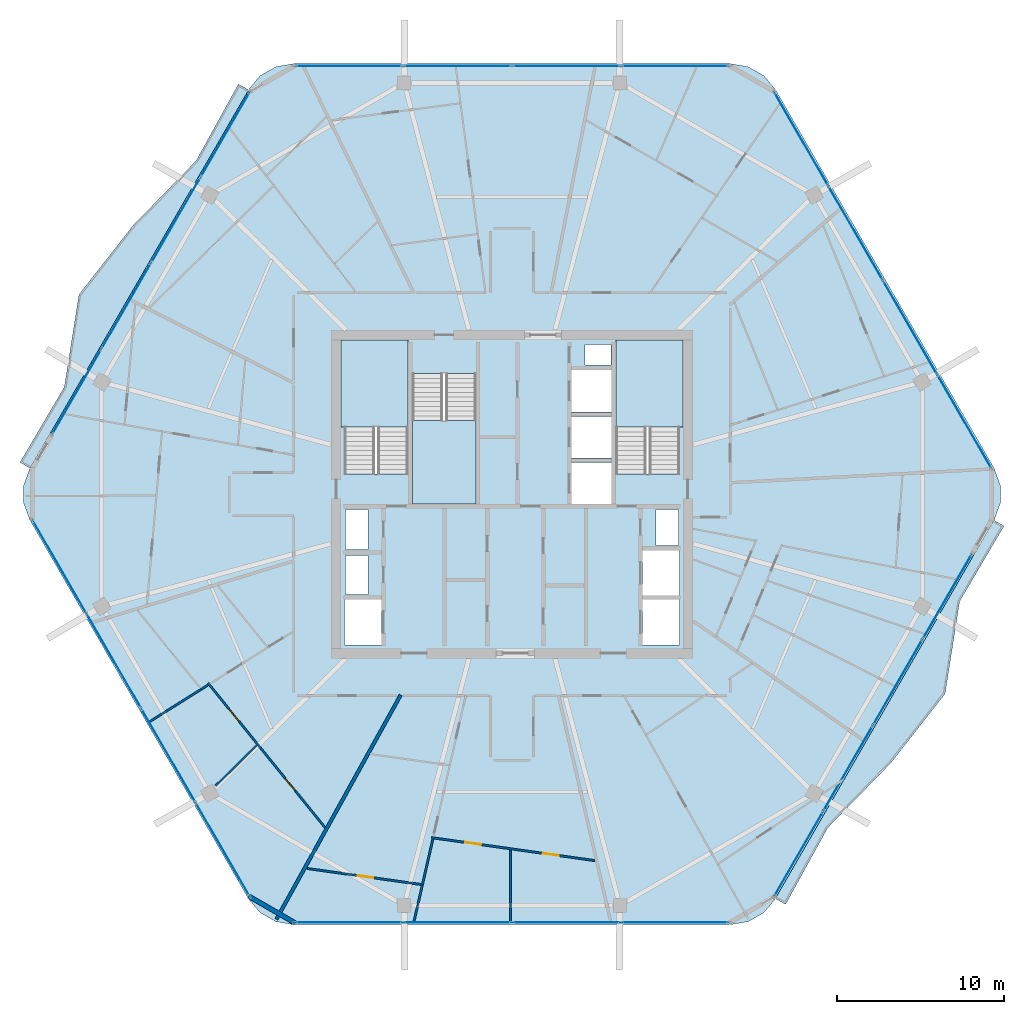
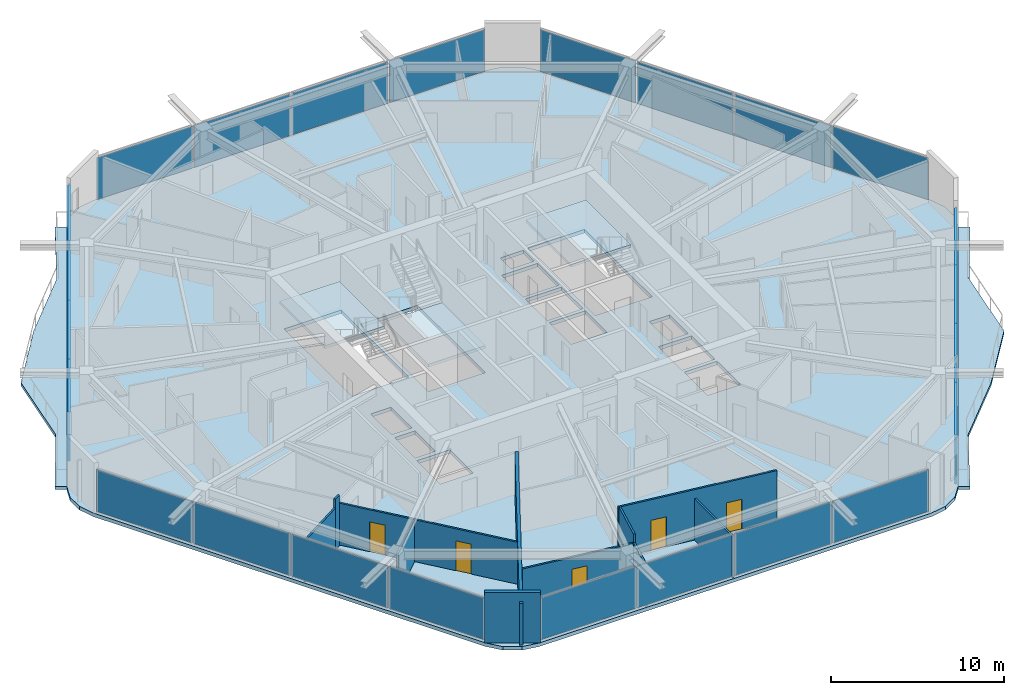
# One storey, part 17 of 26: 24 plates, 11 walls, 6 slabs, 5 doors, 5 openings, 9 elements without a shape of their own.
"""IFC4 building model written with IfcOpenShell, lengths in metres."""

from ifc_helpers import new_model, si_unit, direction, frame, frame_2d, origin, origin_2d, place, context, subcontext, project, spatial, polyline, rectangle, outline, extrude, material, layer, layer_set, type_object, element, fill, aggregate, save


model = new_model("IFC4")

# Units and contexts
model_context = context("Model", 3, precision=1e-05, world=origin(), true_north=direction((0.0, 1.0)))
body_context = subcontext(model_context, "Body", "Model", "MODEL_VIEW")
ifc_project = project(units=[si_unit("LENGTHUNIT", "METRE"), si_unit("AREAUNIT", "SQUARE_METRE"), si_unit("VOLUMEUNIT", "CUBIC_METRE"), si_unit("PLANEANGLEUNIT", "RADIAN"), si_unit("MASSUNIT", "GRAM", prefix="KILO")], contexts=[model_context])

# Site, building, storey
site_placement = place(None, origin())
site = spatial("IfcSite", under=ifc_project, at=site_placement, CompositionType="ELEMENT")
building_placement = place(site_placement, origin())
building = spatial("IfcBuilding", under=site, at=building_placement, Name="Zuhravey Tower", CompositionType="ELEMENT")
storey_placement = place(building_placement, frame((0.0, 0.0, 280.60009765625)))
storey = spatial("IfcBuildingStorey", under=building, at=storey_placement, Name="L71", CompositionType="ELEMENT", Elevation=280.60009765625)

# Slabs
ifc_material_1 = material(Name="Concrete C50/60", Category="concrete")
ifc_layer_1 = layer(ifc_material_1, 0.25)
ifc_layer_set_1 = layer_set([ifc_layer_1], Name="Concrete C50/60")
slab_type_1 = type_object("IfcSlabType", Name="Residential Acoustic Slab 250", PredefinedType="FLOOR", material=ifc_layer_set_1)
slab_1_placement = place(storey_placement, frame((0.0, 0.0, -0.25)))
element("IfcSlab", 1, at=slab_1_placement, inside=storey, type_object=slab_type_1, Name="L71 Floor Slab FS25", PredefinedType="FLOOR", context=body_context, shape_type="SweptSolid", body=[
    extrude(outline(polyline([(64.78515625, 30.449951171875), (65.1533203125, 31.461669921875), (65.1533203125, 32.538330078125), (64.78515625, 33.550048828125), (51.73486328125, 56.153564453125), (51.04296875, 56.978515625), (50.110595703125, 57.5166015625), (49.05029296875, 57.70361328125), (22.94970703125, 57.70361328125), (21.889404296875, 57.5166015625), (20.95703125, 56.978515625), (20.26513671875, 56.153564453125), (7.21484375, 33.550048828125), (6.8466796875, 32.538330078125), (6.8466796875, 31.461669921875), (7.21484375, 30.449951171875), (20.26513671875, 7.846435546875), (20.95703125, 7.021484375), (21.889404296875, 6.4833984375), (22.94970703125, 6.29638671875), (49.05029296875, 6.29638671875), (50.110595703125, 6.4833984375), (51.04296875, 7.021484375), (51.73486328125, 7.846435546875), (64.78515625, 30.449951171875)]), holes=[polyline([(29.800048828125, 33.20068359375), (29.800048828125, 41.0), (26.0, 41.0), (26.0, 33.20068359375), (29.800048828125, 33.20068359375)]), polyline([(46.0, 33.20068359375), (46.0, 41.0), (42.199951171875, 41.0), (42.199951171875, 33.20068359375), (46.0, 33.20068359375)]), polyline([(30.050048828125, 39.199462890625), (30.050048828125, 31.39990234375), (33.85009765625, 31.39990234375), (33.85009765625, 39.199462890625), (30.050048828125, 39.199462890625)]), polyline([(39.550048828125, 31.39990234375), (41.949951171875, 31.39990234375), (41.949951171875, 33.89990234375), (39.550048828125, 33.89990234375), (39.550048828125, 31.39990234375)]), polyline([(39.550048828125, 34.14990234375), (41.949951171875, 34.14990234375), (41.949951171875, 36.64990234375), (39.550048828125, 36.64990234375), (39.550048828125, 34.14990234375)]), polyline([(39.550048828125, 36.89990234375), (41.949951171875, 36.89990234375), (41.949951171875, 39.39990234375), (39.550048828125, 39.39990234375), (39.550048828125, 36.89990234375)]), polyline([(26.0, 23.0), (28.199951171875, 23.0), (28.199951171875, 25.699951171875), (26.0, 25.699951171875), (26.0, 23.0)]), polyline([(43.800048828125, 23.0), (46.0, 23.0), (46.0, 25.699951171875), (43.800048828125, 25.699951171875), (43.800048828125, 23.0)]), polyline([(43.800048828125, 25.949951171875), (46.0, 25.949951171875), (46.0, 28.64990234375), (43.800048828125, 28.64990234375), (43.800048828125, 25.949951171875)]), polyline([(26.050048828125, 26.0), (27.39990234375, 26.0), (27.39990234375, 28.35009765625), (26.050048828125, 28.35009765625), (26.050048828125, 26.0)]), polyline([(26.050048828125, 28.699951171875), (27.39990234375, 28.699951171875), (27.39990234375, 31.10009765625), (26.050048828125, 31.10009765625), (26.050048828125, 28.699951171875)]), polyline([(44.60009765625, 28.949951171875), (45.949951171875, 28.949951171875), (45.949951171875, 31.10009765625), (44.60009765625, 31.10009765625), (44.60009765625, 28.949951171875)]), polyline([(40.35009765625, 39.699951171875), (41.89990234375, 39.699951171875), (41.89990234375, 40.949951171875), (40.35009765625, 40.949951171875), (40.35009765625, 39.699951171875)])]), origin(), (0.0, 0.0, 1.0), 0.25),
])
ifc_material_2 = material(Name="Concrete C40/50", Category="concrete")
ifc_layer_2 = layer(ifc_material_2, 0.219970703125)
ifc_layer_set_2 = layer_set([ifc_layer_2], Name="Concrete C40/50")
slab_type_2 = type_object("IfcSlabType", Name="Sinusoidal Residential Wave Balcony 220", PredefinedType="FLOOR", material=ifc_layer_set_2)
slab_2_placement = place(storey_placement, frame((0.0, 0.0, -0.22021484375)))
element("IfcSlab", 2, at=slab_2_placement, inside=storey, type_object=slab_type_2, Name="L71 Face 6 Wave Balcony WB22", PredefinedType="FLOOR", context=body_context, shape_type="SweptSolid", body=[
    extrude(outline(polyline([(51.726318359375, 7.861328125), (64.767822265625, 30.449951171875), (65.3740234375, 30.10009765625), (62.726806640625, 25.604736328125), (61.85546875, 20.083984375), (58.60546875, 15.93701171875), (54.85009765625, 12.081298828125), (52.33251953125, 7.511474609375), (51.726318359375, 7.861328125)])), origin(), (0.0, 0.0, 1.0), 0.22021484375),
])
slab_3_placement = place(storey_placement, frame((0.0, 0.0, -0.22021484375)))
element("IfcSlab", 3, at=slab_3_placement, inside=storey, type_object=slab_type_2, Name="L71 Face 3 Wave Balcony WB22", PredefinedType="FLOOR", context=body_context, shape_type="SweptSolid", body=[
    extrude(outline(polyline([(20.273681640625, 56.138671875), (7.232177734375, 33.550048828125), (6.6259765625, 33.89990234375), (9.273193359375, 38.395263671875), (10.14453125, 43.916015625), (13.39453125, 48.06298828125), (17.14990234375, 51.918701171875), (19.66748046875, 56.488525390625), (20.273681640625, 56.138671875)])), origin(), (0.0, 0.0, 1.0), 0.22021484375),
])

# Stair, slab
stair_type = type_object("IfcStairType", Name="Housing Storey Stair Assembly 3800", PredefinedType="HALF_TURN_STAIR", material=ifc_material_2)
stair_1_placement = place(storey_placement, origin())
stair_1 = element("IfcStair", 4, at=stair_1_placement, inside=storey, type_object=stair_type, Name="L71 Core Exit Stair ST1", PredefinedType="HALF_TURN_STAIR")
ifc_layer_3 = layer(ifc_material_2, 0.199951171875)
ifc_layer_set_3 = layer_set([ifc_layer_3], Name="Concrete C40/50")
slab_type_3 = type_object("IfcSlabType", Name="Stair Landing Slab 200", PredefinedType="LANDING", material=ifc_layer_set_3)
slab_4_placement = place(storey_placement, frame((0.0, 0.0, 1.699951171875)))
slab_4 = element("IfcSlab", 5, at=slab_4_placement, type_object=slab_type_3, Name="ST1 landing 1", PredefinedType="LANDING", context=body_context, shape_type="SweptSolid", body=[
    extrude(outline(polyline([(29.800048828125, 36.0), (29.800048828125, 41.197998046875), (25.802001953125, 41.197998046875), (25.802001953125, 36.0), (29.800048828125, 36.0)])), origin(), (0.0, 0.0, 1.0), 0.199951171875),
])
aggregate(stair_1, [slab_4])

stair_2_placement = place(storey_placement, origin())
stair_2 = element("IfcStair", 6, at=stair_2_placement, inside=storey, type_object=stair_type, Name="L71 Core Exit Stair ST2", PredefinedType="HALF_TURN_STAIR")
slab_5_placement = place(storey_placement, frame((0.0, 0.0, 1.699951171875)))
slab_5 = element("IfcSlab", 7, at=slab_5_placement, type_object=slab_type_3, Name="ST2 landing 1", PredefinedType="LANDING", context=body_context, shape_type="SweptSolid", body=[
    extrude(outline(polyline([(46.197998046875, 36.0), (46.197998046875, 41.197998046875), (42.199951171875, 41.197998046875), (42.199951171875, 36.0), (46.197998046875, 36.0)])), origin(), (0.0, 0.0, 1.0), 0.199951171875),
])
aggregate(stair_2, [slab_5])

stair_3_placement = place(storey_placement, origin())
stair_3 = element("IfcStair", 8, at=stair_3_placement, inside=storey, type_object=stair_type, Name="L71 Core Exit Stair ST3", PredefinedType="HALF_TURN_STAIR")
slab_6_placement = place(storey_placement, frame((0.0, 0.0, 1.699951171875)))
slab_6 = element("IfcSlab", 9, at=slab_6_placement, type_object=slab_type_3, Name="ST3 landing 1", PredefinedType="LANDING", context=body_context, shape_type="SweptSolid", body=[
    extrude(outline(polyline([(30.050048828125, 36.39990234375), (30.050048828125, 31.39990234375), (33.85009765625, 31.39990234375), (33.85009765625, 36.39990234375), (30.050048828125, 36.39990234375)])), origin(), (0.0, 0.0, 1.0), 0.199951171875),
])
aggregate(stair_3, [slab_6])

# Curtain wall, plates
ifc_material_3 = material(Name="Thermally broken anodised aluminium", Category="aluminium")
curtain_wall_type = type_object("IfcCurtainWallType", Name="Zone 3-4 High-Rise Curtain Wall CW4", PredefinedType="NOTDEFINED", material=ifc_material_3)
curtain_wall_1_placement = place(storey_placement, origin())
curtain_wall_1 = element("IfcCurtainWall", 10, at=curtain_wall_1_placement, inside=storey, type_object=curtain_wall_type, Name="L71 CW4 CW-L71-F6-1", PredefinedType="NOTDEFINED")
ifc_material_4 = material(Name="Triple low-E insulated vision glass", Category="glass")
ifc_layer_4 = layer(ifc_material_4, 0.0419921875)
ifc_layer_set_4 = layer_set([ifc_layer_4], Name="Triple low-E insulated vision glass")
plate_type = type_object("IfcPlateType", Name="Triple Low-E Vision Panel", PredefinedType="CURTAIN_PANEL", material=ifc_layer_set_4)
plate_1_placement = place(storey_placement, frame((61.979248046875, 25.869873046875, 0.08984375), z_axis=(0.0, 0.0, 1.0), x_axis=(-0.500001789539, -0.866024370591, 0.0)))
plate_1 = element("IfcPlate", 11, at=plate_1_placement, type_object=plate_type, Name="CW4 panel 1.1", PredefinedType="CURTAIN_PANEL", context=body_context, shape_type="SweptSolid", body=[
    extrude(rectangle(XDim=5.783935546875, YDim=0.0419921875, at=origin_2d()), origin(), (0.0, 0.0, 1.0), 2.94189453125),
])
plate_2_placement = place(storey_placement, frame((59.031005859375, 20.763427734375, 0.08984375), z_axis=(0.0, 0.0, 1.0), x_axis=(-0.500001789539, -0.866024370591, 0.0)))
plate_2 = element("IfcPlate", 12, at=plate_2_placement, type_object=plate_type, Name="CW4 panel 2.1", PredefinedType="CURTAIN_PANEL", context=body_context, shape_type="SweptSolid", body=[
    extrude(rectangle(XDim=5.828857421875, YDim=0.0419921875, at=origin_2d()), origin(), (0.0, 0.0, 1.0), 2.94189453125),
])
plate_3_placement = place(storey_placement, frame((56.071533203125, 15.6376953125, 0.08984375), z_axis=(0.0, 0.0, 1.0), x_axis=(-0.500001789539, -0.866024370591, 0.0)))
plate_3 = element("IfcPlate", 13, at=plate_3_placement, type_object=plate_type, Name="CW4 panel 3.1", PredefinedType="CURTAIN_PANEL", context=body_context, shape_type="SweptSolid", body=[
    extrude(rectangle(XDim=5.828857421875, YDim=0.0419921875, at=origin_2d()), origin(), (0.0, 0.0, 1.0), 2.94189453125),
])
plate_4_placement = place(storey_placement, frame((53.123291015625, 10.53125, 0.08984375), z_axis=(0.0, 0.0, 1.0), x_axis=(-0.500001789539, -0.866024370591, 0.0)))
plate_4 = element("IfcPlate", 14, at=plate_4_placement, type_object=plate_type, Name="CW4 panel 4.1", PredefinedType="CURTAIN_PANEL", context=body_context, shape_type="SweptSolid", body=[
    extrude(rectangle(XDim=5.783935546875, YDim=0.0419921875, at=origin_2d()), origin(), (0.0, 0.0, 1.0), 2.94189453125),
])
aggregate(curtain_wall_1, [plate_1, plate_2, plate_3, plate_4])

curtain_wall_2_placement = place(storey_placement, origin())
curtain_wall_2 = element("IfcCurtainWall", 15, at=curtain_wall_2_placement, inside=storey, type_object=curtain_wall_type, Name="L71 CW4 CW-L71-F5-1", PredefinedType="NOTDEFINED")
plate_5_placement = place(storey_placement, frame((45.737060546875, 6.436279296875, 0.08984375), z_axis=(0.0, 0.0, 1.0), x_axis=(-1.0, 0.0, 0.0)))
plate_5 = element("IfcPlate", 16, at=plate_5_placement, type_object=plate_type, Name="CW4 panel 1.1", PredefinedType="CURTAIN_PANEL", context=body_context, shape_type="SweptSolid", body=[
    extrude(rectangle(XDim=6.371337890625, YDim=0.0419921875, at=origin_2d()), origin(), (0.0, 0.0, 1.0), 2.94189453125),
])
plate_6_placement = place(storey_placement, frame((39.253173828125, 6.436279296875, 0.08984375), z_axis=(0.0, 0.0, 1.0), x_axis=(-1.0, 0.0, 0.0)))
plate_6 = element("IfcPlate", 17, at=plate_6_placement, type_object=plate_type, Name="CW4 panel 2.1", PredefinedType="CURTAIN_PANEL", context=body_context, shape_type="SweptSolid", body=[
    extrude(rectangle(XDim=6.416259765625, YDim=0.0419921875, at=origin_2d()), origin(), (0.0, 0.0, 1.0), 2.94189453125),
])
plate_7_placement = place(storey_placement, frame((32.746826171875, 6.436279296875, 0.08984375), z_axis=(0.0, 0.0, 1.0), x_axis=(-1.0, 0.0, 0.0)))
plate_7 = element("IfcPlate", 18, at=plate_7_placement, type_object=plate_type, Name="CW4 panel 3.1", PredefinedType="CURTAIN_PANEL", context=body_context, shape_type="SweptSolid", body=[
    extrude(rectangle(XDim=6.416259765625, YDim=0.0419921875, at=origin_2d()), origin(), (0.0, 0.0, 1.0), 2.94189453125),
])
plate_8_placement = place(storey_placement, frame((26.262939453125, 6.436279296875, 0.08984375), z_axis=(0.0, 0.0, 1.0), x_axis=(-1.0, 0.0, 0.0)))
plate_8 = element("IfcPlate", 19, at=plate_8_placement, type_object=plate_type, Name="CW4 panel 4.1", PredefinedType="CURTAIN_PANEL", context=body_context, shape_type="SweptSolid", body=[
    extrude(rectangle(XDim=6.371337890625, YDim=0.0419921875, at=origin_2d()), origin(), (0.0, 0.0, 1.0), 2.94189453125),
])
aggregate(curtain_wall_2, [plate_5, plate_6, plate_7, plate_8])

curtain_wall_3_placement = place(storey_placement, origin())
curtain_wall_3 = element("IfcCurtainWall", 20, at=curtain_wall_3_placement, inside=storey, type_object=curtain_wall_type, Name="L71 CW4 CW-L71-F4-1", PredefinedType="NOTDEFINED")
plate_9_placement = place(storey_placement, frame((18.729736328125, 10.78564453125, 0.08984375), z_axis=(0.0, 0.0, 1.0), x_axis=(-0.500000957414, 0.866024851021, 0.0)))
plate_9 = element("IfcPlate", 21, at=plate_9_placement, type_object=plate_type, Name="CW4 panel 1.1", PredefinedType="CURTAIN_PANEL", context=body_context, shape_type="SweptSolid", body=[
    extrude(rectangle(XDim=6.371337890625, YDim=0.0419921875, at=origin_2d()), origin(), (0.0, 0.0, 1.0), 2.94189453125),
])
plate_10_placement = place(storey_placement, frame((15.48779296875, 16.40087890625, 0.08984375), z_axis=(0.0, 0.0, 1.0), x_axis=(-0.500000957414, 0.866024851021, 0.0)))
plate_10 = element("IfcPlate", 22, at=plate_10_placement, type_object=plate_type, Name="CW4 panel 2.1", PredefinedType="CURTAIN_PANEL", context=body_context, shape_type="SweptSolid", body=[
    extrude(rectangle(XDim=6.416259765625, YDim=0.0419921875, at=origin_2d()), origin(), (0.0, 0.0, 1.0), 2.94189453125),
])
plate_11_placement = place(storey_placement, frame((12.234619140625, 22.03564453125, 0.08984375), z_axis=(0.0, 0.0, 1.0), x_axis=(-0.500000957414, 0.866024851021, 0.0)))
plate_11 = element("IfcPlate", 23, at=plate_11_placement, type_object=plate_type, Name="CW4 panel 3.1", PredefinedType="CURTAIN_PANEL", context=body_context, shape_type="SweptSolid", body=[
    extrude(rectangle(XDim=6.416259765625, YDim=0.0419921875, at=origin_2d()), origin(), (0.0, 0.0, 1.0), 2.94189453125),
])
plate_12_placement = place(storey_placement, frame((8.99267578125, 27.650634765625, 0.08984375), z_axis=(0.0, 0.0, 1.0), x_axis=(-0.500000957414, 0.866024851021, 0.0)))
plate_12 = element("IfcPlate", 24, at=plate_12_placement, type_object=plate_type, Name="CW4 panel 4.1", PredefinedType="CURTAIN_PANEL", context=body_context, shape_type="SweptSolid", body=[
    extrude(rectangle(XDim=6.371337890625, YDim=0.0419921875, at=origin_2d()), origin(), (0.0, 0.0, 1.0), 2.94189453125),
])
aggregate(curtain_wall_3, [plate_9, plate_10, plate_11, plate_12])

curtain_wall_4_placement = place(storey_placement, origin())
curtain_wall_4 = element("IfcCurtainWall", 25, at=curtain_wall_4_placement, inside=storey, type_object=curtain_wall_type, Name="L71 CW4 CW-L71-F3-1", PredefinedType="NOTDEFINED")
plate_13_placement = place(storey_placement, frame((10.020751953125, 38.130126953125, 0.08984375), z_axis=(0.0, 0.0, 1.0), x_axis=(0.500001789539, 0.866024370591, 0.0)))
plate_13 = element("IfcPlate", 26, at=plate_13_placement, type_object=plate_type, Name="CW4 panel 1.1", PredefinedType="CURTAIN_PANEL", context=body_context, shape_type="SweptSolid", body=[
    extrude(rectangle(XDim=5.783935546875, YDim=0.0419921875, at=origin_2d()), origin(), (0.0, 0.0, 1.0), 2.94189453125),
])
plate_14_placement = place(storey_placement, frame((12.968994140625, 43.236572265625, 0.08984375), z_axis=(0.0, 0.0, 1.0), x_axis=(0.500001789539, 0.866024370591, 0.0)))
plate_14 = element("IfcPlate", 27, at=plate_14_placement, type_object=plate_type, Name="CW4 panel 2.1", PredefinedType="CURTAIN_PANEL", context=body_context, shape_type="SweptSolid", body=[
    extrude(rectangle(XDim=5.828857421875, YDim=0.0419921875, at=origin_2d()), origin(), (0.0, 0.0, 1.0), 2.94189453125),
])
plate_15_placement = place(storey_placement, frame((15.928466796875, 48.3623046875, 0.08984375), z_axis=(0.0, 0.0, 1.0), x_axis=(0.500001789539, 0.866024370591, 0.0)))
plate_15 = element("IfcPlate", 28, at=plate_15_placement, type_object=plate_type, Name="CW4 panel 3.1", PredefinedType="CURTAIN_PANEL", context=body_context, shape_type="SweptSolid", body=[
    extrude(rectangle(XDim=5.828857421875, YDim=0.0419921875, at=origin_2d()), origin(), (0.0, 0.0, 1.0), 2.94189453125),
])
plate_16_placement = place(storey_placement, frame((18.876708984375, 53.46875, 0.08984375), z_axis=(0.0, 0.0, 1.0), x_axis=(0.500001789539, 0.866024370591, 0.0)))
plate_16 = element("IfcPlate", 29, at=plate_16_placement, type_object=plate_type, Name="CW4 panel 4.1", PredefinedType="CURTAIN_PANEL", context=body_context, shape_type="SweptSolid", body=[
    extrude(rectangle(XDim=5.783935546875, YDim=0.0419921875, at=origin_2d()), origin(), (0.0, 0.0, 1.0), 2.94189453125),
])
aggregate(curtain_wall_4, [plate_13, plate_14, plate_15, plate_16])

curtain_wall_5_placement = place(storey_placement, origin())
curtain_wall_5 = element("IfcCurtainWall", 30, at=curtain_wall_5_placement, inside=storey, type_object=curtain_wall_type, Name="L71 CW4 CW-L71-F2-1", PredefinedType="NOTDEFINED")
plate_17_placement = place(storey_placement, frame((26.262939453125, 57.563720703125, 0.08984375), z_axis=(0.0, 0.0, 1.0), x_axis=(1.0, 0.0, 0.0)))
plate_17 = element("IfcPlate", 31, at=plate_17_placement, type_object=plate_type, Name="CW4 panel 1.1", PredefinedType="CURTAIN_PANEL", context=body_context, shape_type="SweptSolid", body=[
    extrude(rectangle(XDim=6.371337890625, YDim=0.0419921875, at=origin_2d()), origin(), (0.0, 0.0, 1.0), 2.94189453125),
])
plate_18_placement = place(storey_placement, frame((32.746826171875, 57.563720703125, 0.08984375), z_axis=(0.0, 0.0, 1.0), x_axis=(1.0, 0.0, 0.0)))
plate_18 = element("IfcPlate", 32, at=plate_18_placement, type_object=plate_type, Name="CW4 panel 2.1", PredefinedType="CURTAIN_PANEL", context=body_context, shape_type="SweptSolid", body=[
    extrude(rectangle(XDim=6.416259765625, YDim=0.0419921875, at=origin_2d()), origin(), (0.0, 0.0, 1.0), 2.94189453125),
])
plate_19_placement = place(storey_placement, frame((39.253173828125, 57.563720703125, 0.08984375), z_axis=(0.0, 0.0, 1.0), x_axis=(1.0, 0.0, 0.0)))
plate_19 = element("IfcPlate", 33, at=plate_19_placement, type_object=plate_type, Name="CW4 panel 3.1", PredefinedType="CURTAIN_PANEL", context=body_context, shape_type="SweptSolid", body=[
    extrude(rectangle(XDim=6.416259765625, YDim=0.0419921875, at=origin_2d()), origin(), (0.0, 0.0, 1.0), 2.94189453125),
])
plate_20_placement = place(storey_placement, frame((45.737060546875, 57.563720703125, 0.08984375), z_axis=(0.0, 0.0, 1.0), x_axis=(1.0, 0.0, 0.0)))
plate_20 = element("IfcPlate", 34, at=plate_20_placement, type_object=plate_type, Name="CW4 panel 4.1", PredefinedType="CURTAIN_PANEL", context=body_context, shape_type="SweptSolid", body=[
    extrude(rectangle(XDim=6.371337890625, YDim=0.0419921875, at=origin_2d()), origin(), (0.0, 0.0, 1.0), 2.94189453125),
])
aggregate(curtain_wall_5, [plate_17, plate_18, plate_19, plate_20])

curtain_wall_6_placement = place(storey_placement, origin())
curtain_wall_6 = element("IfcCurtainWall", 35, at=curtain_wall_6_placement, inside=storey, type_object=curtain_wall_type, Name="L71 CW4 CW-L71-F1-1", PredefinedType="NOTDEFINED")
plate_21_placement = place(storey_placement, frame((53.270263671875, 53.21435546875, 0.08984375), z_axis=(0.0, 0.0, 1.0), x_axis=(0.500000957414, -0.866024851021, 0.0)))
plate_21 = element("IfcPlate", 36, at=plate_21_placement, type_object=plate_type, Name="CW4 panel 1.1", PredefinedType="CURTAIN_PANEL", context=body_context, shape_type="SweptSolid", body=[
    extrude(rectangle(XDim=6.371337890625, YDim=0.0419921875, at=origin_2d()), origin(), (0.0, 0.0, 1.0), 2.94189453125),
])
plate_22_placement = place(storey_placement, frame((56.51220703125, 47.59912109375, 0.08984375), z_axis=(0.0, 0.0, 1.0), x_axis=(0.500000957414, -0.866024851021, 0.0)))
plate_22 = element("IfcPlate", 37, at=plate_22_placement, type_object=plate_type, Name="CW4 panel 2.1", PredefinedType="CURTAIN_PANEL", context=body_context, shape_type="SweptSolid", body=[
    extrude(rectangle(XDim=6.416259765625, YDim=0.0419921875, at=origin_2d()), origin(), (0.0, 0.0, 1.0), 2.94189453125),
])
plate_23_placement = place(storey_placement, frame((59.765380859375, 41.96435546875, 0.08984375), z_axis=(0.0, 0.0, 1.0), x_axis=(0.500000957414, -0.866024851021, 0.0)))
plate_23 = element("IfcPlate", 38, at=plate_23_placement, type_object=plate_type, Name="CW4 panel 3.1", PredefinedType="CURTAIN_PANEL", context=body_context, shape_type="SweptSolid", body=[
    extrude(rectangle(XDim=6.416259765625, YDim=0.0419921875, at=origin_2d()), origin(), (0.0, 0.0, 1.0), 2.94189453125),
])
plate_24_placement = place(storey_placement, frame((63.00732421875, 36.349365234375, 0.08984375), z_axis=(0.0, 0.0, 1.0), x_axis=(0.500000957414, -0.866024851021, 0.0)))
plate_24 = element("IfcPlate", 39, at=plate_24_placement, type_object=plate_type, Name="CW4 panel 4.1", PredefinedType="CURTAIN_PANEL", context=body_context, shape_type="SweptSolid", body=[
    extrude(rectangle(XDim=6.371337890625, YDim=0.0419921875, at=origin_2d()), origin(), (0.0, 0.0, 1.0), 2.94189453125),
])
aggregate(curtain_wall_6, [plate_21, plate_22, plate_23, plate_24])

# Walls
ifc_material_5 = material(Name="Precast concrete C40/50", Category="concrete")
ifc_layer_5 = layer(ifc_material_5, 0.280029296875)
ifc_layer_set_5 = layer_set([ifc_layer_5], Name="Precast concrete C40/50")
wall_type_1 = type_object("IfcWallType", Name="Crown Architectural Wall 280", PredefinedType="SOLIDWALL", material=ifc_layer_set_5)
wall_1_placement = place(storey_placement, frame((23.069580078125, 6.388916015625, 0.0), z_axis=(0.0, 0.0, 1.0), x_axis=(-0.866028773314, 0.499994163758, 0.0)))
element("IfcWall", 40, at=wall_1_placement, inside=storey, type_object=wall_type_1, Name="L71 Rounded Corner Closure Wall EW28-04", PredefinedType="SOLIDWALL", context=body_context, shape_type="SweptSolid", body=[
    extrude(rectangle(XDim=3.21484375, YDim=0.280029296875, at=frame_2d((1.607421875, 0.0))), origin(), (0.0, 0.0, 1.0), 3.5498046875),
])
ifc_material_6 = material(Name="Gypsum double-stud party assembly")
ifc_layer_6 = layer(ifc_material_6, 0.199951171875)
ifc_layer_set_6 = layer_set([ifc_layer_6], Name="Gypsum double-stud party assembly")
wall_type_2 = type_object("IfcWallType", Name="Inter-Tenancy Party Wall 200", PredefinedType="PARTITIONING", material=ifc_layer_set_6)
wall_2_placement = place(storey_placement, frame((29.353759765625, 20.010009765625, 0.0), z_axis=(0.0, 0.0, 1.0), x_axis=(-0.48480997026, -0.874619513124, 0.0)))
element("IfcWall", 41, at=wall_2_placement, inside=storey, type_object=wall_type_2, Name="L71 IW20 Partition 080", PredefinedType="PARTITIONING", context=body_context, shape_type="SweptSolid", body=[
    extrude(rectangle(XDim=15.308837890625, YDim=0.199951171875, at=frame_2d((7.654296875, 0.0))), origin(), (0.0, 0.0, 1.0), 2.929931640625),
])

# Wall, openings, doors
ifc_material_7 = material(Name="Gypsum metal-stud partition")
ifc_layer_7 = layer(ifc_material_7, 0.1201171875)
ifc_layer_set_7 = layer_set([ifc_layer_7], Name="Gypsum metal-stud partition")
wall_type_3 = type_object("IfcWallType", Name="Unit Internal Partition 120", PredefinedType="PARTITIONING", material=ifc_layer_set_7)
wall_3_placement = place(storey_placement, frame((17.851318359375, 20.724609375, 0.0), z_axis=(0.0, 0.0, 1.0), x_axis=(0.629311937349, -0.777152807053, 0.0)))
wall_3 = element("IfcWall", 42, at=wall_3_placement, inside=storey, type_object=wall_type_3, Name="L71 IW12 Partition 027", PredefinedType="PARTITIONING", context=body_context, shape_type="SweptSolid", body=[
    extrude(rectangle(XDim=11.116943359375, YDim=0.1201171875, at=frame_2d((5.55859375, 0.0))), origin(), (0.0, 0.0, 1.0), 2.949951171875),
])
opening_1_placement = place(wall_3_placement, frame((2.001220703125, 0.0, 0.0)))
opening_1 = element("IfcOpeningElement", 43, at=opening_1_placement, cuts=wall_3, Name="Opening IND1", PredefinedType="OPENING", context=body_context, shape_type="SweptSolid", body=[
    extrude(rectangle(XDim=0.949951171875, YDim=2.10009765625, at=frame_2d((0.47509765625, 1.050048828125))), frame((0.0, 0.072021484375, 0.0), z_axis=(0.0, -1.0, 0.0), x_axis=(1.0, 0.0, 0.0)), (0.0, 0.0, 1.0), 0.14404296875),
])
opening_2_placement = place(wall_3_placement, frame((7.3193359375, 0.0, 0.0)))
opening_2 = element("IfcOpeningElement", 44, at=opening_2_placement, cuts=wall_3, Name="Opening IND1", PredefinedType="OPENING", context=body_context, shape_type="SweptSolid", body=[
    extrude(rectangle(XDim=0.949951171875, YDim=2.10009765625, at=frame_2d((0.47509765625, 1.050048828125))), frame((0.0, 0.072021484375, 0.0), z_axis=(0.0, -1.0, 0.0), x_axis=(1.0, 0.0, 0.0)), (0.0, 0.0, 1.0), 0.14404296875),
])
ifc_material_8 = material(Name="Painted engineered timber leaf", Category="wood")
door_type = type_object("IfcDoorType", Name="Internal Room & Bedroom Door 950x2100", OperationType="NOTDEFINED", PredefinedType="DOOR", material=ifc_material_8)
door_1_placement = place(opening_1_placement, frame((0.949951171875, 0.0, 0.0), z_axis=(0.0, 0.0, 1.0), x_axis=(-1.0, 0.0, 0.0)))
door_1 = element("IfcDoor", 45, at=door_1_placement, inside=storey, type_object=door_type, Name="Apartment L71-02 Family Study Door", OperationType="SINGLE_SWING_LEFT", OverallHeight=2.10009765625, OverallWidth=0.949951171875, PredefinedType="DOOR", context=body_context, shape_type="SweptSolid", body=[
    extrude(rectangle(XDim=0.949951171875, YDim=2.10009765625, at=frame_2d((0.47509765625, 1.050048828125))), frame((0.0, 0.02490234375, 0.0), z_axis=(0.0, -1.0, 0.0), x_axis=(1.0, 0.0, 0.0)), (0.0, 0.0, 1.0), 0.050048828125),
])
fill(opening_1, door_1)
door_2_placement = place(opening_2_placement, frame((0.949951171875, 0.0, 0.0), z_axis=(0.0, 0.0, 1.0), x_axis=(-1.0, 0.0, 0.0)))
door_2 = element("IfcDoor", 46, at=door_2_placement, inside=storey, type_object=door_type, Name="Apartment L71-02 Dining Room Door", OperationType="SINGLE_SWING_RIGHT", OverallHeight=2.10009765625, OverallWidth=0.949951171875, PredefinedType="DOOR", context=body_context, shape_type="SweptSolid", body=[
    extrude(rectangle(XDim=0.949951171875, YDim=2.10009765625, at=frame_2d((0.47509765625, 1.050048828125))), frame((0.0, 0.02490234375, 0.0), z_axis=(0.0, -1.0, 0.0), x_axis=(1.0, 0.0, 0.0)), (0.0, 0.0, 1.0), 0.050048828125),
])
fill(opening_2, door_2)

# Wall
wall_4_placement = place(storey_placement, frame((17.856689453125, 20.60986328125, 0.0), z_axis=(0.0, 0.0, 1.0), x_axis=(-0.847021311188, -0.531558932192, 0.0)))
element("IfcWall", 47, at=wall_4_placement, inside=storey, type_object=wall_type_3, Name="L71 IW12 Partition 030", PredefinedType="PARTITIONING", context=body_context, shape_type="SweptSolid", body=[
    extrude(rectangle(XDim=0.506103515625, YDim=0.1201171875, at=frame_2d((0.2529296875, 0.0))), origin(), (0.0, 0.0, 1.0), 3.5498046875),
])

# Wall, openings, doors
wall_5_placement = place(storey_placement, frame((31.193359375, 11.493896484375, 0.0), z_axis=(0.0, 0.0, 1.0), x_axis=(0.990267998159, -0.139173603183, 0.0)))
wall_5 = element("IfcWall", 48, at=wall_5_placement, inside=storey, type_object=wall_type_3, Name="L71 IW12 Partition 033", PredefinedType="PARTITIONING", context=body_context, shape_type="SweptSolid", body=[
    extrude(rectangle(XDim=9.855224609375, YDim=0.1201171875, at=frame_2d((4.927734375, 0.0))), origin(), (0.0, 0.0, 1.0), 3.5498046875),
])
opening_3_placement = place(wall_5_placement, frame((2.033935546875, 0.0, 0.0)))
opening_3 = element("IfcOpeningElement", 49, at=opening_3_placement, cuts=wall_5, Name="Opening IND1", PredefinedType="OPENING", context=body_context, shape_type="SweptSolid", body=[
    extrude(rectangle(XDim=0.949951171875, YDim=2.10009765625, at=frame_2d((0.47509765625, 1.050048828125))), frame((0.0, 0.072021484375, 0.0), z_axis=(0.0, -1.0, 0.0), x_axis=(1.0, 0.0, 0.0)), (0.0, 0.0, 1.0), 0.14404296875),
])
opening_4_placement = place(wall_5_placement, frame((6.720458984375, 0.0, 0.0)))
opening_4 = element("IfcOpeningElement", 50, at=opening_4_placement, cuts=wall_5, Name="Opening IND1", PredefinedType="OPENING", context=body_context, shape_type="SweptSolid", body=[
    extrude(rectangle(XDim=0.949951171875, YDim=2.10009765625, at=frame_2d((0.47509765625, 1.050048828125))), frame((0.0, 0.072021484375, 0.0), z_axis=(0.0, -1.0, 0.0), x_axis=(1.0, 0.0, 0.0)), (0.0, 0.0, 1.0), 0.14404296875),
])
door_3_placement = place(opening_3_placement, frame((0.949951171875, 0.0, 0.0), z_axis=(0.0, 0.0, 1.0), x_axis=(-1.0, 0.0, 0.0)))
door_3 = element("IfcDoor", 51, at=door_3_placement, inside=storey, type_object=door_type, Name="Apartment L71-03 Family Study Door", OperationType="SINGLE_SWING_LEFT", OverallHeight=2.10009765625, OverallWidth=0.949951171875, PredefinedType="DOOR", context=body_context, shape_type="SweptSolid", body=[
    extrude(rectangle(XDim=0.949951171875, YDim=2.10009765625, at=frame_2d((0.47509765625, 1.050048828125))), frame((0.0, 0.02490234375, 0.0), z_axis=(0.0, -1.0, 0.0), x_axis=(1.0, 0.0, 0.0)), (0.0, 0.0, 1.0), 0.050048828125),
])
fill(opening_3, door_3)
door_4_placement = place(opening_4_placement, frame((0.949951171875, 0.0, 0.0), z_axis=(0.0, 0.0, 1.0), x_axis=(-1.0, 0.0, 0.0)))
door_4 = element("IfcDoor", 52, at=door_4_placement, inside=storey, type_object=door_type, Name="Apartment L71-03 Dining Room Door", OperationType="SINGLE_SWING_RIGHT", OverallHeight=2.10009765625, OverallWidth=0.949951171875, PredefinedType="DOOR", context=body_context, shape_type="SweptSolid", body=[
    extrude(rectangle(XDim=0.949951171875, YDim=2.10009765625, at=frame_2d((0.47509765625, 1.050048828125))), frame((0.0, 0.02490234375, 0.0), z_axis=(0.0, -1.0, 0.0), x_axis=(1.0, 0.0, 0.0)), (0.0, 0.0, 1.0), 0.050048828125),
])
fill(opening_4, door_4)

# Wall
wall_6_placement = place(storey_placement, frame((31.277587890625, 11.41357421875, 0.0), z_axis=(0.0, 0.0, 1.0), x_axis=(-0.223608921033, -0.974678947364, 0.0)))
element("IfcWall", 53, at=wall_6_placement, inside=storey, type_object=wall_type_3, Name="L71 IW12 Partition 036", PredefinedType="PARTITIONING", context=body_context, shape_type="SweptSolid", body=[
    extrude(rectangle(XDim=2.823486328125, YDim=0.1201171875, at=frame_2d((1.41162109375, 0.0))), origin(), (0.0, 0.0, 1.0), 3.5498046875),
])

# Wall, opening, door
wall_7_placement = place(storey_placement, frame((23.754150390625, 9.655517578125, 0.0), z_axis=(0.0, 0.0, 1.0), x_axis=(0.990271826655, -0.1391463594, 0.0)))
wall_7 = element("IfcWall", 54, at=wall_7_placement, inside=storey, type_object=wall_type_3, Name="L71 IW12 Partition 037", PredefinedType="PARTITIONING", context=body_context, shape_type="SweptSolid", body=[
    extrude(rectangle(XDim=6.897216796875, YDim=0.1201171875, at=frame_2d((3.44873046875, 0.0))), origin(), (0.0, 0.0, 1.0), 2.929931640625),
])
opening_5_placement = place(wall_7_placement, frame((3.057861328125, 0.0, 0.0)))
opening_5 = element("IfcOpeningElement", 55, at=opening_5_placement, cuts=wall_7, Name="Opening IND1", PredefinedType="OPENING", context=body_context, shape_type="SweptSolid", body=[
    extrude(rectangle(XDim=0.949951171875, YDim=2.10009765625, at=frame_2d((0.47509765625, 1.050048828125))), frame((0.0, 0.072021484375, 0.0), z_axis=(0.0, -1.0, 0.0), x_axis=(1.0, 0.0, 0.0)), (0.0, 0.0, 1.0), 0.14404296875),
])
door_5_placement = place(opening_5_placement, frame((0.949951171875, 0.0, 0.0), z_axis=(0.0, 0.0, 1.0), x_axis=(-1.0, 0.0, 0.0)))
door_5 = element("IfcDoor", 56, at=door_5_placement, inside=storey, type_object=door_type, Name="Apartment L71-03 Bedroom 1 Door", OperationType="SINGLE_SWING_LEFT", OverallHeight=2.10009765625, OverallWidth=0.949951171875, PredefinedType="DOOR", context=body_context, shape_type="SweptSolid", body=[
    extrude(rectangle(XDim=0.949951171875, YDim=2.10009765625, at=frame_2d((0.47509765625, 1.050048828125))), frame((0.0, 0.02490234375, 0.0), z_axis=(0.0, -1.0, 0.0), x_axis=(1.0, 0.0, 0.0)), (0.0, 0.0, 1.0), 0.050048828125),
])
fill(opening_5, door_5)

# Walls
wall_8_placement = place(storey_placement, frame((20.767578125, 17.01513671875, 0.0), z_axis=(0.0, 0.0, 1.0), x_axis=(-0.71287305113, -0.701293100617, 0.0)))
element("IfcWall", 57, at=wall_8_placement, inside=storey, type_object=wall_type_3, Name="L71 IW12 Partition 076", PredefinedType="PARTITIONING", context=body_context, shape_type="SweptSolid", body=[
    extrude(rectangle(XDim=3.45751953125, YDim=0.1201171875, at=frame_2d((1.728759765625, 0.0))), origin(), (0.0, 0.0, 1.0), 2.949951171875),
])
wall_9_placement = place(storey_placement, frame((17.427978515625, 20.3408203125, 0.0), z_axis=(0.0, 0.0, 1.0), x_axis=(-0.846935423542, -0.531695766722, 0.0)))
element("IfcWall", 58, at=wall_9_placement, inside=storey, type_object=wall_type_3, Name="L71 IW12 Partition 078", PredefinedType="PARTITIONING", context=body_context, shape_type="SweptSolid", body=[
    extrude(rectangle(XDim=3.65771484375, YDim=0.1201171875, at=frame_2d((1.828857421875, 0.0))), origin(), (0.0, 0.0, 1.0), 2.929931640625),
])
wall_10_placement = place(storey_placement, frame((35.922119140625, 10.7607421875, 0.0), z_axis=(0.0, 0.0, 1.0), x_axis=(-0.003644495, -0.999993358806, 0.0)))
element("IfcWall", 59, at=wall_10_placement, inside=storey, type_object=wall_type_3, Name="L71 IW12 Partition 081", PredefinedType="PARTITIONING", context=body_context, shape_type="SweptSolid", body=[
    extrude(rectangle(XDim=4.354248046875, YDim=0.1201171875, at=frame_2d((2.17724609375, 0.0))), origin(), (0.0, 0.0, 1.0), 2.929931640625),
])
wall_11_placement = place(storey_placement, frame((30.646240234375, 8.66162109375, 0.0), z_axis=(0.0, 0.0, 1.0), x_axis=(-0.223635915936, -0.974672753853, 0.0)))
element("IfcWall", 60, at=wall_11_placement, inside=storey, type_object=wall_type_3, Name="L71 IW12 Partition 083", PredefinedType="PARTITIONING", context=body_context, shape_type="SweptSolid", body=[
    extrude(rectangle(XDim=2.2880859375, YDim=0.1201171875, at=frame_2d((1.14404296875, 0.0))), origin(), (0.0, 0.0, 1.0), 2.929931640625),
])

save(model, "model.ifc")
